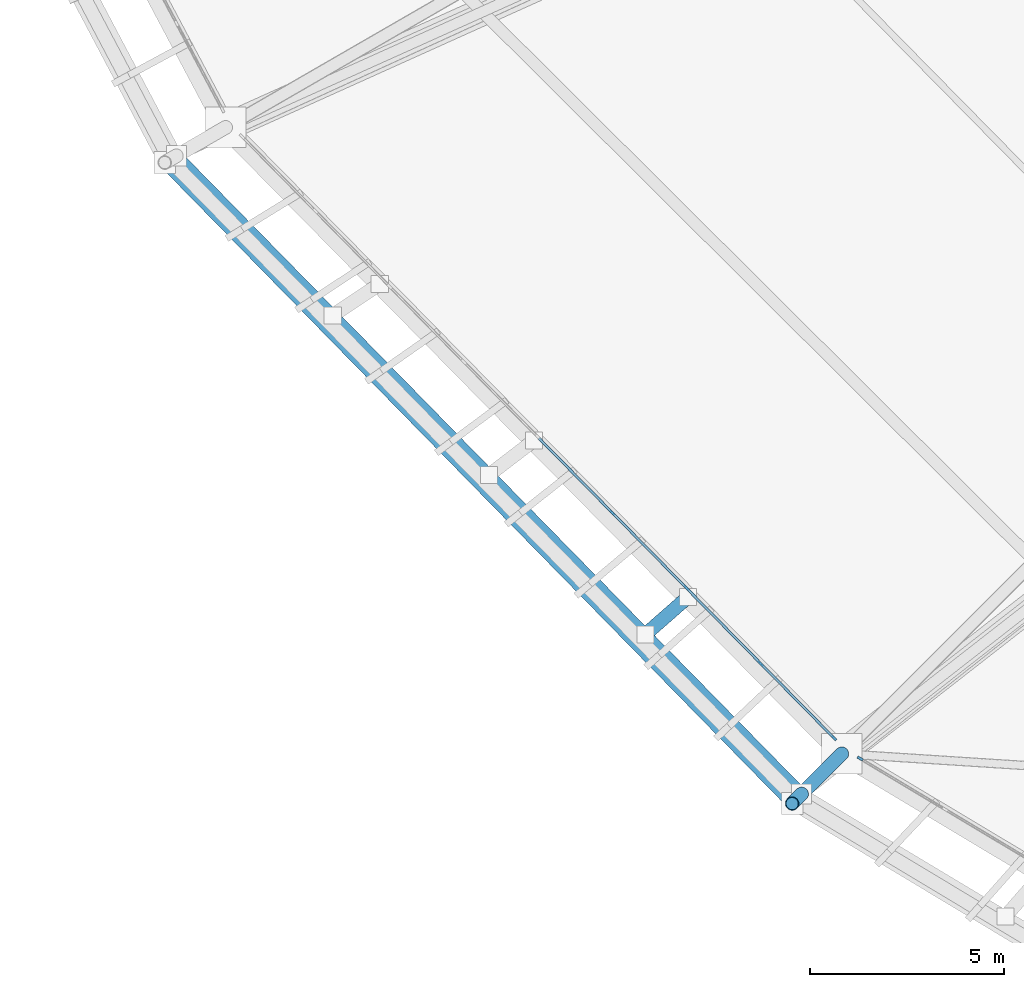
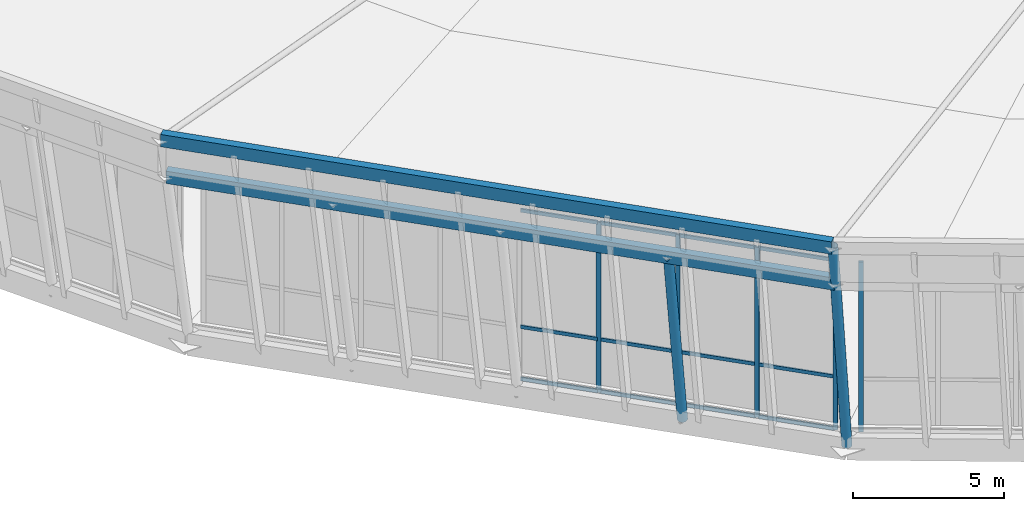
# One storey, part 1 of 115: 20 members, 2 beams, 2 elements without a shape of their own.
"""IFC4 building model written with IfcOpenShell, lengths in metres."""

from ifc_helpers import new_model, si_unit, direction, frame, origin, origin_2d, place, context, subcontext, project, spatial, rectangle, hollow_rectangle, hollow_circle, extrude, material, material_profile, profile_set, type_object, element, aggregate, save


model = new_model("IFC4")

# Units and contexts
model_context = context("Model", 3, precision=1e-05, world=origin(), true_north=direction((0.0, 1.0)))
body_context = subcontext(model_context, "Body", "Model", "MODEL_VIEW")
ifc_project = project(units=[si_unit("LENGTHUNIT", "METRE"), si_unit("AREAUNIT", "SQUARE_METRE"), si_unit("VOLUMEUNIT", "CUBIC_METRE"), si_unit("PLANEANGLEUNIT", "RADIAN"), si_unit("MASSUNIT", "GRAM", prefix="KILO")], contexts=[model_context])

# Site, building, storey
site_placement = place(None, origin())
site = spatial("IfcSite", under=ifc_project, at=site_placement, CompositionType="ELEMENT")
building_placement = place(site_placement, origin())
building = spatial("IfcBuilding", under=site, at=building_placement, Name="Zlatoyarsky Gate Stadium", CompositionType="ELEMENT")
storey_placement = place(building_placement, frame((0.0, 0.0, 31.800048828125)))
storey = spatial("IfcBuildingStorey", under=building, at=storey_placement, Name="RF", CompositionType="ELEMENT", Elevation=31.800048828125)

# Curtain wall, members
ifc_material_1 = material(Name="Thermally broken anodised aluminium curtain wall", Category="aluminium")
curtain_wall_type = type_object("IfcCurtainWallType", Name="UNITISED SKYBOX RING GLAZING L05", PredefinedType="USERDEFINED", material=ifc_material_1)
curtain_wall_1_placement = place(storey_placement, origin())
curtain_wall_1 = element("IfcCurtainWall", 1, at=curtain_wall_1_placement, inside=storey, type_object=curtain_wall_type, Name="Curtain wall CW-RF-14", ObjectType="UNITISED GLAZING", PredefinedType="USERDEFINED")
ifc_material_2 = material(Name="Anodised aluminium 6063-T6", Category="aluminium")
ifc_material_profile_1 = material_profile(ifc_material_2, rectangle(XDim=0.06494140625, YDim=0.159912109375, at=origin_2d()), Name="ALU 65X160")
ifc_profile_set_1 = profile_set([ifc_material_profile_1], Name="Anodised aluminium 6063-T6")
member_type_1 = type_object("IfcMemberType", Name="ALUMINIUM MULLION 65X160", PredefinedType="MULLION", material=ifc_profile_set_1)
member_1_placement = place(storey_placement, frame((34.345947265625, 31.045654296875, 0.0), z_axis=(0.0, 0.0, 1.0), x_axis=(0.712766053473, 0.701401848456, 0.0)))
member_1 = element("IfcMember", 2, at=member_1_placement, type_object=member_type_1, Name="CW-UG5 mullion 6", PredefinedType="MULLION", context=body_context, shape_type="SweptSolid", body=[
    extrude(rectangle(XDim=0.06494140625, YDim=0.159912109375, at=origin_2d()), origin(), (0.0, 0.0, 1.0), 6.89990234375),
])
member_2_placement = place(storey_placement, frame((36.260009765625, 29.100341796875, 0.0), z_axis=(0.0, 0.0, 1.0), x_axis=(0.712766053473, 0.701401848456, 0.0)))
member_2 = element("IfcMember", 3, at=member_2_placement, type_object=member_type_1, Name="CW-UG5 mullion 7", PredefinedType="MULLION", context=body_context, shape_type="SweptSolid", body=[
    extrude(rectangle(XDim=0.06494140625, YDim=0.159912109375, at=origin_2d()), origin(), (0.0, 0.0, 1.0), 6.89990234375),
])
member_3_placement = place(storey_placement, frame((38.174072265625, 27.1552734375, 0.0), z_axis=(0.0, 0.0, 1.0), x_axis=(0.712766053473, 0.701401848456, 0.0)))
member_3 = element("IfcMember", 4, at=member_3_placement, type_object=member_type_1, Name="CW-UG5 mullion 8", PredefinedType="MULLION", context=body_context, shape_type="SweptSolid", body=[
    extrude(rectangle(XDim=0.06494140625, YDim=0.159912109375, at=origin_2d()), origin(), (0.0, 0.0, 1.0), 6.89990234375),
])
member_4_placement = place(storey_placement, frame((40.0654296875, 25.2333984375, 0.0), z_axis=(0.0, 0.0, 1.0), x_axis=(0.712766053473, 0.701401848456, 0.0)))
member_4 = element("IfcMember", 5, at=member_4_placement, type_object=member_type_1, Name="CW-UG5 mullion 9", PredefinedType="MULLION", context=body_context, shape_type="SweptSolid", body=[
    extrude(rectangle(XDim=0.06494140625, YDim=0.159912109375, at=origin_2d()), origin(), (0.0, 0.0, 1.0), 6.89990234375),
])

# Curtain wall, member
curtain_wall_2_placement = place(storey_placement, origin())
curtain_wall_2 = element("IfcCurtainWall", 6, at=curtain_wall_2_placement, inside=storey, type_object=curtain_wall_type, Name="Curtain wall CW-RF-15", ObjectType="UNITISED GLAZING", PredefinedType="USERDEFINED")
member_5_placement = place(storey_placement, frame((40.739990234375, 24.703125, 0.0), z_axis=(0.0, 0.0, 1.0), x_axis=(0.513435995817, 0.858127891517, 0.0)))
member_5 = element("IfcMember", 7, at=member_5_placement, type_object=member_type_1, Name="CW-UG5 mullion 1", PredefinedType="MULLION", context=body_context, shape_type="SweptSolid", body=[
    extrude(rectangle(XDim=0.06494140625, YDim=0.159912109375, at=origin_2d()), origin(), (0.0, 0.0, 1.0), 6.89990234375),
])
aggregate(curtain_wall_2, [member_5])

# Member
ifc_material_profile_2 = material_profile(ifc_material_2, rectangle(XDim=0.06494140625, YDim=0.139892578125, at=origin_2d()), Name="ALU 65X140")
ifc_profile_set_2 = profile_set([ifc_material_profile_2], Name="Anodised aluminium 6063-T6")
member_type_2 = type_object("IfcMemberType", Name="ALUMINIUM TRANSOM 65X140", PredefinedType="USERDEFINED", material=ifc_profile_set_2)
member_6_placement = place(storey_placement, frame((32.45458984375, 32.967529296875, 0.032470703125), z_axis=(0.701355797551, -0.712811367222, 0.0), x_axis=(0.712811367222, 0.701355797551, 0.0)))
member_6 = element("IfcMember", 8, at=member_6_placement, type_object=member_type_2, Name="CW-UG5 transom 5.1", ObjectType="TRANSOM", PredefinedType="USERDEFINED", context=body_context, shape_type="SweptSolid", body=[
    extrude(rectangle(XDim=0.06494140625, YDim=0.139892578125, at=origin_2d()), origin(), (0.0, 0.0, 1.0), 2.6640625),
])

member_7_placement = place(storey_placement, frame((32.45458984375, 32.967529296875, 2.14990234375), z_axis=(0.701355797551, -0.712811367222, 0.0), x_axis=(0.712811367222, 0.701355797551, 0.0)))
member_7 = element("IfcMember", 9, at=member_7_placement, type_object=member_type_2, Name="CW-UG5 transom 5.2", ObjectType="TRANSOM", PredefinedType="USERDEFINED", context=body_context, shape_type="SweptSolid", body=[
    extrude(rectangle(XDim=0.06494140625, YDim=0.139892578125, at=origin_2d()), origin(), (0.0, 0.0, 1.0), 2.6640625),
])

member_8_placement = place(storey_placement, frame((32.45458984375, 32.967529296875, 6.867431640625), z_axis=(0.701355797551, -0.712811367222, 0.0), x_axis=(0.712811367222, 0.701355797551, 0.0)))
member_8 = element("IfcMember", 10, at=member_8_placement, type_object=member_type_2, Name="CW-UG5 transom 5.3", ObjectType="TRANSOM", PredefinedType="USERDEFINED", context=body_context, shape_type="SweptSolid", body=[
    extrude(rectangle(XDim=0.06494140625, YDim=0.139892578125, at=origin_2d()), origin(), (0.0, 0.0, 1.0), 2.6640625),
])

member_9_placement = place(storey_placement, frame((34.36865234375, 31.0224609375, 0.032470703125), z_axis=(0.701402357666, -0.712765552381, 0.0), x_axis=(0.712765552381, 0.701402357666, 0.0)))
member_9 = element("IfcMember", 11, at=member_9_placement, type_object=member_type_2, Name="CW-UG5 transom 6.1", ObjectType="TRANSOM", PredefinedType="USERDEFINED", context=body_context, shape_type="SweptSolid", body=[
    extrude(rectangle(XDim=0.06494140625, YDim=0.139892578125, at=origin_2d()), origin(), (0.0, 0.0, 1.0), 2.6640625),
])

member_10_placement = place(storey_placement, frame((34.36865234375, 31.0224609375, 2.14990234375), z_axis=(0.701402357666, -0.712765552381, 0.0), x_axis=(0.712765552381, 0.701402357666, 0.0)))
member_10 = element("IfcMember", 12, at=member_10_placement, type_object=member_type_2, Name="CW-UG5 transom 6.2", ObjectType="TRANSOM", PredefinedType="USERDEFINED", context=body_context, shape_type="SweptSolid", body=[
    extrude(rectangle(XDim=0.06494140625, YDim=0.139892578125, at=origin_2d()), origin(), (0.0, 0.0, 1.0), 2.6640625),
])

member_11_placement = place(storey_placement, frame((34.36865234375, 31.0224609375, 6.867431640625), z_axis=(0.701402357666, -0.712765552381, 0.0), x_axis=(0.712765552381, 0.701402357666, 0.0)))
member_11 = element("IfcMember", 13, at=member_11_placement, type_object=member_type_2, Name="CW-UG5 transom 6.3", ObjectType="TRANSOM", PredefinedType="USERDEFINED", context=body_context, shape_type="SweptSolid", body=[
    extrude(rectangle(XDim=0.06494140625, YDim=0.139892578125, at=origin_2d()), origin(), (0.0, 0.0, 1.0), 2.6640625),
])

member_12_placement = place(storey_placement, frame((36.28271484375, 29.0771484375, 0.032470703125), z_axis=(0.701448172626, -0.712720464922, 0.0), x_axis=(0.712720464922, 0.701448172626, 0.0)))
member_12 = element("IfcMember", 14, at=member_12_placement, type_object=member_type_2, Name="CW-UG5 transom 7.1", ObjectType="TRANSOM", PredefinedType="USERDEFINED", context=body_context, shape_type="SweptSolid", body=[
    extrude(rectangle(XDim=0.06494140625, YDim=0.139892578125, at=origin_2d()), origin(), (0.0, 0.0, 1.0), 2.6640625),
])

member_13_placement = place(storey_placement, frame((36.28271484375, 29.0771484375, 2.14990234375), z_axis=(0.701448172626, -0.712720464922, 0.0), x_axis=(0.712720464922, 0.701448172626, 0.0)))
member_13 = element("IfcMember", 15, at=member_13_placement, type_object=member_type_2, Name="CW-UG5 transom 7.2", ObjectType="TRANSOM", PredefinedType="USERDEFINED", context=body_context, shape_type="SweptSolid", body=[
    extrude(rectangle(XDim=0.06494140625, YDim=0.139892578125, at=origin_2d()), origin(), (0.0, 0.0, 1.0), 2.6640625),
])

member_14_placement = place(storey_placement, frame((36.28271484375, 29.0771484375, 6.867431640625), z_axis=(0.701448172626, -0.712720464922, 0.0), x_axis=(0.712720464922, 0.701448172626, 0.0)))
member_14 = element("IfcMember", 16, at=member_14_placement, type_object=member_type_2, Name="CW-UG5 transom 7.3", ObjectType="TRANSOM", PredefinedType="USERDEFINED", context=body_context, shape_type="SweptSolid", body=[
    extrude(rectangle(XDim=0.06494140625, YDim=0.139892578125, at=origin_2d()), origin(), (0.0, 0.0, 1.0), 2.6640625),
])

member_15_placement = place(storey_placement, frame((38.19677734375, 27.132080078125, 0.032470703125), z_axis=(0.701471617556, -0.712697390036, 0.0), x_axis=(0.712697390036, 0.701471617556, 0.0)))
member_15 = element("IfcMember", 17, at=member_15_placement, type_object=member_type_2, Name="CW-UG5 transom 8.1", ObjectType="TRANSOM", PredefinedType="USERDEFINED", context=body_context, shape_type="SweptSolid", body=[
    extrude(rectangle(XDim=0.06494140625, YDim=0.139892578125, at=origin_2d()), origin(), (0.0, 0.0, 1.0), 2.631591796875),
])

member_16_placement = place(storey_placement, frame((38.19677734375, 27.132080078125, 2.14990234375), z_axis=(0.701471617556, -0.712697390036, 0.0), x_axis=(0.712697390036, 0.701471617556, 0.0)))
member_16 = element("IfcMember", 18, at=member_16_placement, type_object=member_type_2, Name="CW-UG5 transom 8.2", ObjectType="TRANSOM", PredefinedType="USERDEFINED", context=body_context, shape_type="SweptSolid", body=[
    extrude(rectangle(XDim=0.06494140625, YDim=0.139892578125, at=origin_2d()), origin(), (0.0, 0.0, 1.0), 2.631591796875),
])

member_17_placement = place(storey_placement, frame((38.19677734375, 27.132080078125, 6.867431640625), z_axis=(0.701471617556, -0.712697390036, 0.0), x_axis=(0.712697390036, 0.701471617556, 0.0)))
member_17 = element("IfcMember", 19, at=member_17_placement, type_object=member_type_2, Name="CW-UG5 transom 8.3", ObjectType="TRANSOM", PredefinedType="USERDEFINED", context=body_context, shape_type="SweptSolid", body=[
    extrude(rectangle(XDim=0.06494140625, YDim=0.139892578125, at=origin_2d()), origin(), (0.0, 0.0, 1.0), 2.631591796875),
])

aggregate(curtain_wall_1, [member_1, member_2, member_3, member_4, member_6, member_7, member_8, member_9, member_10, member_11, member_12, member_13, member_14, member_15, member_16, member_17])

# Members
ifc_material_3 = material(Name="Steel S355", Category="steel")
ifc_material_profile_3 = material_profile(ifc_material_3, hollow_circle(Radius=0.177734375, WallThickness=0.02001953125, at=origin_2d()), Name="CHS 355.6X20")
ifc_profile_set_3 = profile_set([ifc_material_profile_3], Name="Steel S355")
member_type_3 = type_object("IfcMemberType", Name="STEEL LEANING RIB RING STRUT CHS 355.6X20", PredefinedType="STRUT", material=ifc_profile_set_3)
member_18_placement = place(storey_placement, frame((36.295654296875, 28.8662109375, -0.449951171875), z_axis=(-0.141622971852, -0.124302630674, 0.982085428999), x_axis=(0.65965358824, -0.751569786195, 0.0)))
element("IfcMember", 20, at=member_18_placement, inside=storey, type_object=member_type_3, Name="Outward-leaning bowl louvre fin rib RF 14-3", PredefinedType="STRUT", context=body_context, shape_type="SweptSolid", body=[
    extrude(hollow_circle(Radius=0.177734375, WallThickness=0.02001953125, at=origin_2d()), origin(), (0.0, 0.0, 1.0), 7.738525390625),
])
member_19_placement = place(storey_placement, frame((40.269775390625, 24.826171875, -0.449951171875), z_axis=(-0.134083158373, -0.134083158373, 0.981857124678), x_axis=(0.707106781187, -0.707106781187, 0.0)))
element("IfcMember", 21, at=member_19_placement, inside=storey, type_object=member_type_3, Name="Outward-leaning crown fascia lower post 15", PredefinedType="STRUT", context=body_context, shape_type="SweptSolid", body=[
    extrude(hollow_circle(Radius=0.177734375, WallThickness=0.02001953125, at=origin_2d()), origin(), (0.0, 0.0, 1.0), 7.740234375),
])
member_20_placement = place(storey_placement, frame((39.23193359375, 23.788330078125, 7.14990234375), z_axis=(-0.142090707593, -0.142231391462, 0.979581779178), x_axis=(0.707456574237, -0.706756815014, 0.0)))
element("IfcMember", 22, at=member_20_placement, inside=storey, type_object=member_type_3, Name="Outward-leaning crown fascia upper post 15", PredefinedType="STRUT", context=body_context, shape_type="SweptSolid", body=[
    extrude(hollow_circle(Radius=0.177734375, WallThickness=0.02001953125, at=origin_2d()), origin(), (0.0, 0.0, 1.0), 1.7353515625),
])

# Beams
ifc_material_profile_4 = material_profile(ifc_material_3, hollow_rectangle(XDim=0.300048828125, YDim=0.5, WallThickness=0.02001953125, at=origin_2d()), Name="RHS 500X300X20")
ifc_profile_set_4 = profile_set([ifc_material_profile_4], Name="Steel S355")
beam_type = type_object("IfcBeamType", Name="STEEL LOUVRE CARRIER SPANDREL RHS 500X300X20", PredefinedType="SPANDREL", material=ifc_profile_set_4)
beam_1_placement = place(storey_placement, frame((23.1025390625, 40.25244140625, 7.14990234375), z_axis=(0.699808295725, -0.714330700191, 0.0), x_axis=(0.714330700191, 0.699808295725, 0.0)))
element("IfcBeam", 23, at=beam_1_placement, inside=storey, type_object=beam_type, Name="Crown eaves fascia bottom carrier spandrel 14", PredefinedType="SPANDREL", context=body_context, shape_type="SweptSolid", body=[
    extrude(hollow_rectangle(XDim=0.300048828125, YDim=0.5, WallThickness=0.02001953125, at=origin_2d()), origin(), (0.0, 0.0, 1.0), 23.04833984375),
])
beam_2_placement = place(storey_placement, frame((22.80029296875, 40.077880859375, 8.849853515625), z_axis=(0.699474513412, -0.714657543924, 0.0), x_axis=(0.714657543924, 0.699474513412, 0.0)))
element("IfcBeam", 24, at=beam_2_placement, inside=storey, type_object=beam_type, Name="Crown fascia top carrier spandrel 14", PredefinedType="SPANDREL", context=body_context, shape_type="SweptSolid", body=[
    extrude(hollow_rectangle(XDim=0.300048828125, YDim=0.5, WallThickness=0.02001953125, at=origin_2d()), origin(), (0.0, 0.0, 1.0), 23.138916015625),
])

save(model, "model.ifc")
